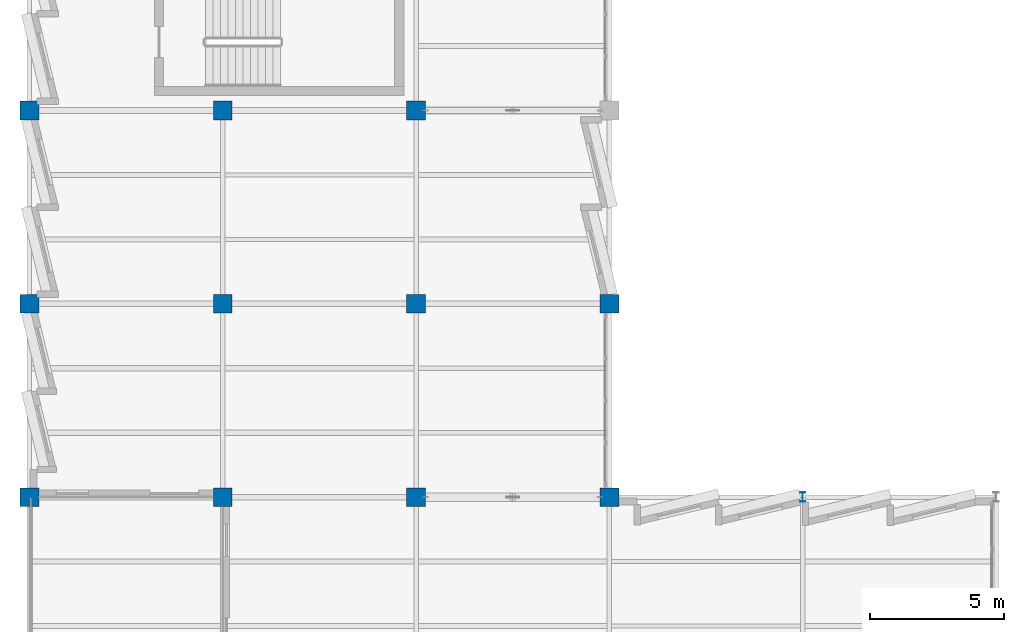
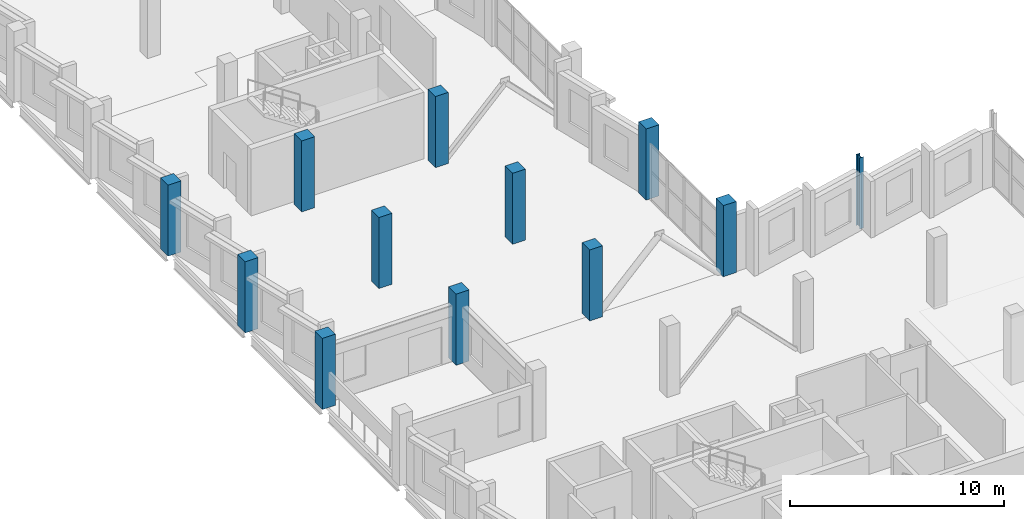
# One storey, part 3 of 33: 12 columns.
"""IFC4 building model written with IfcOpenShell, lengths in metres."""

from ifc_helpers import new_model, si_unit, direction, frame, origin, origin_2d, place, context, subcontext, project, spatial, rectangle, i_section, extrude, material, material_profile, profile_set, type_object, element, save


model = new_model("IFC4")

# Units and contexts
model_context = context("Model", 3, precision=1e-05, world=origin(), true_north=direction((0.0, 1.0)))
body_context = subcontext(model_context, "Body", "Model", "MODEL_VIEW")
ifc_project = project(units=[si_unit("LENGTHUNIT", "METRE"), si_unit("AREAUNIT", "SQUARE_METRE"), si_unit("VOLUMEUNIT", "CUBIC_METRE"), si_unit("PLANEANGLEUNIT", "RADIAN"), si_unit("MASSUNIT", "GRAM", prefix="KILO")], contexts=[model_context])

# Site, building, storey
site_placement = place(None, origin())
site = spatial("IfcSite", under=ifc_project, at=site_placement, CompositionType="ELEMENT")
building_placement = place(site_placement, origin())
building = spatial("IfcBuilding", under=site, at=building_placement, Name="Kalmorath City Hall", CompositionType="ELEMENT")
storey_placement = place(building_placement, frame((0.0, 0.0, 22.949951171875)))
storey = spatial("IfcBuildingStorey", under=building, at=storey_placement, Name="L05", CompositionType="ELEMENT", Elevation=22.949951171875)

# Columns
ifc_material_1 = material(Name="Concrete C50/60", Category="concrete")
ifc_material_profile_1 = material_profile(ifc_material_1, rectangle(XDim=0.699951171875, YDim=0.699951171875, at=origin_2d()), Name="RC-COL-700X700")
ifc_profile_set_1 = profile_set([ifc_material_profile_1], Name="Concrete C50/60")
column_type_1 = type_object("IfcColumnType", Name="Concrete column 700x700", PredefinedType="COLUMN", material=ifc_profile_set_1)
for number, where, z_axis, x_axis, name in (
    (1, (0.0, 36.0, 0.0), (0.0, 0.0, 1.0), (1.0, 0.0, 0.0), "L05 column C4 (1/6)"),
    (2, (0.0, 43.199951171875, 0.0), (0.0, 0.0, 1.0), (1.0, 0.0, 0.0), "L05 column C4 (1/7)"),
    (3, (0.0, 50.39990234375, 0.0), (0.0, 0.0, 1.0), (1.0, 0.0, 0.0), "L05 column C4 (1/8)"),
    (4, (7.199951171875, 36.0, 0.0), (0.0, 0.0, 1.0), (1.0, 0.0, 0.0), "L05 column C4 (2/6)"),
    (5, (7.199951171875, 43.199951171875, 0.0), (0.0, 0.0, 1.0), (1.0, 0.0, 0.0), "L05 column C4 (2/7)"),
    (6, (7.199951171875, 50.39990234375, 0.0), (0.0, 0.0, 1.0), (1.0, 0.0, 0.0), "L05 column C4 (2/8)"),
    (7, (14.39990234375, 36.0, 0.0), (0.0, 0.0, 1.0), (1.0, 0.0, 0.0), "L05 column C4 (3/6)"),
    (8, (14.39990234375, 43.199951171875, 0.0), (0.0, 0.0, 1.0), (1.0, 0.0, 0.0), "L05 column C4 (3/7)"),
    (9, (14.39990234375, 50.39990234375, 0.0), (0.0, 0.0, 1.0), (1.0, 0.0, 0.0), "L05 column C4 (3/8)"),
    (10, (21.60009765625, 36.0, 0.0), (0.0, 0.0, 1.0), (1.0, 0.0, 0.0), "L05 column C4 (4/6)"),
    (11, (21.60009765625, 43.199951171875, 0.0), (0.0, 0.0, 1.0), (1.0, 0.0, 0.0), "L05 column C4 (4/7)"),
):
    element("IfcColumn", number, at=place(storey_placement, frame(where, z_axis=z_axis, x_axis=x_axis)), inside=storey, type_object=column_type_1, Name=name, PredefinedType="COLUMN", context=body_context, shape_type="SweptSolid", body=[
        extrude(rectangle(XDim=0.699951171875, YDim=0.699951171875, at=origin_2d()), origin(), (0.0, 0.0, 1.0), 4.050048828125),
    ])
ifc_material_2 = material(Name="Steel ASTM A992 Grade 50", Category="steel")
ifc_material_profile_2 = material_profile(ifc_material_2, i_section(OverallWidth=0.2041015625, OverallDepth=0.35009765625, WebThickness=0.008544921875, FlangeThickness=0.01513671875, FilletRadius=0.014892578125, at=origin_2d()), Name="W14X48")
ifc_profile_set_2 = profile_set([ifc_material_profile_2], Name="Steel ASTM A992 Grade 50")
column_type_2 = type_object("IfcColumnType", Name="Steel wide-flange column W14X48", PredefinedType="COLUMN", material=ifc_profile_set_2)
column_placement = place(storey_placement, frame((28.800048828125, 36.0, 0.0), z_axis=(0.0, 0.0, 1.0), x_axis=(1.0, 0.0, 0.0)))
element("IfcColumn", 12, at=column_placement, inside=storey, type_object=column_type_2, Name="L05 column SC6 (5/6)", PredefinedType="COLUMN", context=body_context, shape_type="SweptSolid", body=[
    extrude(i_section(OverallWidth=0.2041015625, OverallDepth=0.35009765625, WebThickness=0.008544921875, FlangeThickness=0.01513671875, FilletRadius=0.014892578125, at=origin_2d()), origin(), (0.0, 0.0, 1.0), 4.050048828125),
])

save(model, "model.ifc")
